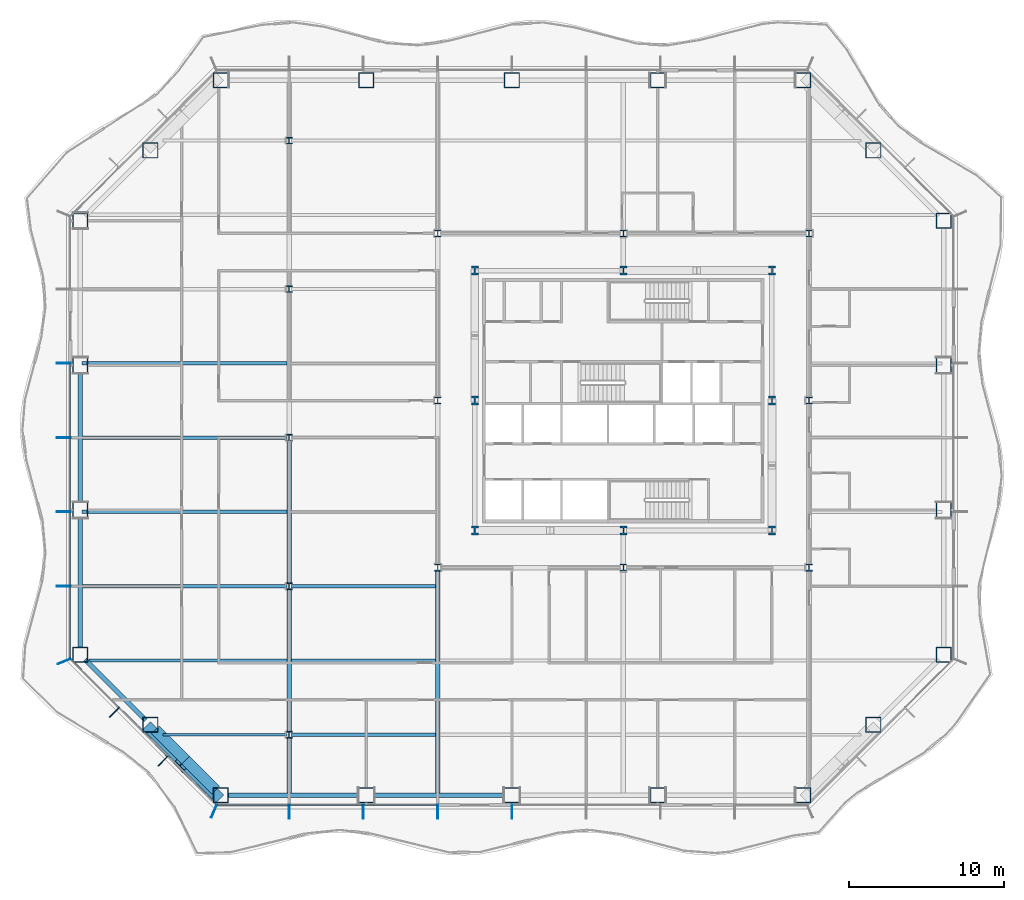
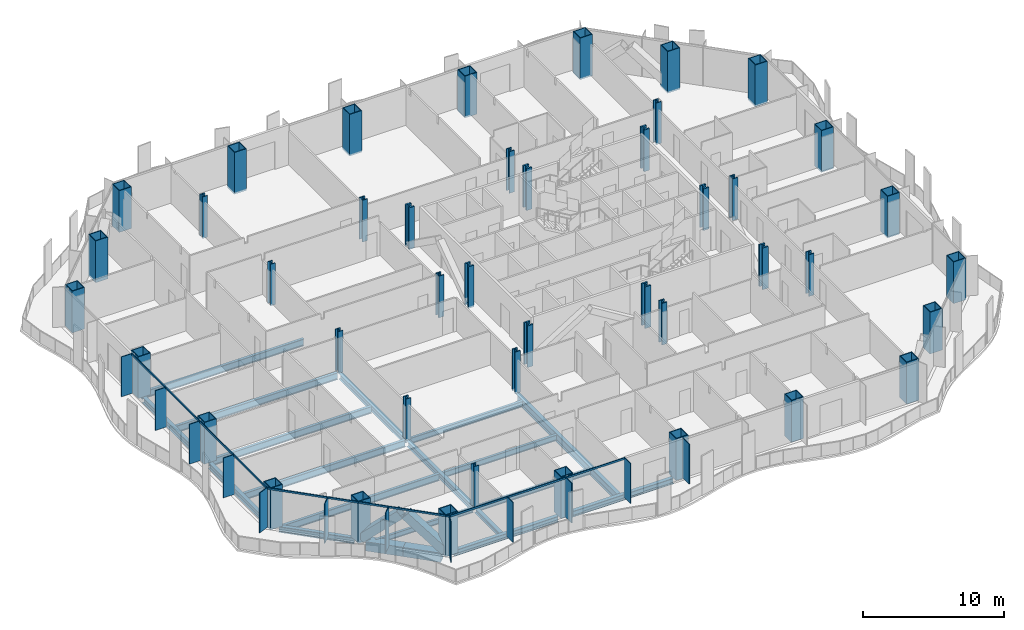
# One storey, part 1 of 20: 43 columns, 24 members, 20 beams, 3 elements without a shape of their own.
"""IFC4 building model written with IfcOpenShell, lengths in metres."""

from ifc_helpers import new_model, si_unit, direction, frame, origin, origin_2d, place, context, subcontext, project, spatial, rectangle, hollow_rectangle, i_section, extrude, material, material_profile, profile_set, type_object, element, aggregate, save


model = new_model("IFC4")

# Units and contexts
model_context = context("Model", 3, precision=1e-05, world=origin(), true_north=direction((0.0, 1.0)))
body_context = subcontext(model_context, "Body", "Model", "MODEL_VIEW")
ifc_project = project(units=[si_unit("LENGTHUNIT", "METRE"), si_unit("AREAUNIT", "SQUARE_METRE"), si_unit("VOLUMEUNIT", "CUBIC_METRE"), si_unit("PLANEANGLEUNIT", "RADIAN"), si_unit("MASSUNIT", "GRAM", prefix="KILO")], contexts=[model_context])

# Site, building, storey
site_placement = place(None, origin())
site = spatial("IfcSite", under=ifc_project, at=site_placement, CompositionType="ELEMENT")
building_placement = place(site_placement, origin())
building = spatial("IfcBuilding", under=site, at=building_placement, Name="Cairn Pilgrim Tower", CompositionType="ELEMENT")
storey_placement = place(building_placement, frame((0.0, 0.0, 51.0)))
storey = spatial("IfcBuildingStorey", under=building, at=storey_placement, Name="L10", CompositionType="ELEMENT", Elevation=51.0)

# Columns
ifc_material_1 = material(Name="Structural steel S460M", Category="steel")
ifc_material_profile_1 = material_profile(ifc_material_1, hollow_rectangle(XDim=1.0, YDim=1.0, WallThickness=0.06005859375, at=origin_2d()), Name="BOX 1000x1000x60")
ifc_profile_set_1 = profile_set([ifc_material_profile_1], Name="Structural steel S460M")
column_type_1 = type_object("IfcColumnType", Name="BOX 1000x1000x60", PredefinedType="COLUMN", material=ifc_profile_set_1)
for number, where, z_axis, x_axis, name in (
    (1, (-18.8271484375, -23.10009765625, -0.14990234375), (0.0, 0.0, 1.0), (1.0, 0.0, 0.0), "PC1-S1"),
    (2, (-9.41357421875, -23.10009765625, -0.14990234375), (0.0, 0.0, 1.0), (1.0, 0.0, 0.0), "PC1-S2"),
    (3, (0.0, -23.10009765625, -0.14990234375), (0.0, 0.0, 1.0), (1.0, 0.0, 0.0), "PC1-S3"),
    (4, (9.41357421875, -23.10009765625, -0.14990234375), (0.0, 0.0, 1.0), (1.0, 0.0, 0.0), "PC1-S4"),
    (5, (18.8271484375, -23.10009765625, -0.14990234375), (0.0, 0.0, 1.0), (1.0, 0.0, 0.0), "PC1-SE1"),
    (6, (23.363525390625, -18.563720703125, -0.14990234375), (0.0, 0.0, 1.0), (1.0, 0.0, 0.0), "PC1-SE2"),
    (7, (27.89990234375, -14.027099609375, -0.14990234375), (0.0, 0.0, 1.0), (1.0, 0.0, 0.0), "PC1-E1"),
    (8, (27.89990234375, -4.67578125, -0.14990234375), (0.0, 0.0, 1.0), (1.0, 0.0, 0.0), "PC1-E2"),
    (9, (27.89990234375, 4.67578125, -0.14990234375), (0.0, 0.0, 1.0), (1.0, 0.0, 0.0), "PC1-E3"),
    (10, (27.89990234375, 14.027099609375, -0.14990234375), (0.0, 0.0, 1.0), (1.0, 0.0, 0.0), "PC1-NE1"),
    (11, (23.363525390625, 18.563720703125, -0.14990234375), (0.0, 0.0, 1.0), (1.0, 0.0, 0.0), "PC1-NE2"),
    (12, (18.8271484375, 23.10009765625, -0.14990234375), (0.0, 0.0, 1.0), (1.0, 0.0, 0.0), "PC1-N1"),
    (13, (9.41357421875, 23.10009765625, -0.14990234375), (0.0, 0.0, 1.0), (1.0, 0.0, 0.0), "PC1-N2"),
    (14, (0.0, 23.10009765625, -0.14990234375), (0.0, 0.0, 1.0), (1.0, 0.0, 0.0), "PC1-N3"),
    (15, (-9.41357421875, 23.10009765625, -0.14990234375), (0.0, 0.0, 1.0), (1.0, 0.0, 0.0), "PC1-N4"),
    (16, (-18.8271484375, 23.10009765625, -0.14990234375), (0.0, 0.0, 1.0), (1.0, 0.0, 0.0), "PC1-NW1"),
    (17, (-23.363525390625, 18.563720703125, -0.14990234375), (0.0, 0.0, 1.0), (1.0, 0.0, 0.0), "PC1-NW2"),
    (18, (-27.89990234375, 14.027099609375, -0.14990234375), (0.0, 0.0, 1.0), (1.0, 0.0, 0.0), "PC1-W1"),
    (19, (-27.89990234375, 4.67578125, -0.14990234375), (0.0, 0.0, 1.0), (1.0, 0.0, 0.0), "PC1-W2"),
    (20, (-27.89990234375, -4.67578125, -0.14990234375), (0.0, 0.0, 1.0), (1.0, 0.0, 0.0), "PC1-W3"),
    (21, (-27.89990234375, -14.027099609375, -0.14990234375), (0.0, 0.0, 1.0), (1.0, 0.0, 0.0), "PC1-SW1"),
    (22, (-23.363525390625, -18.563720703125, -0.14990234375), (0.0, 0.0, 1.0), (1.0, 0.0, 0.0), "PC1-SW2"),
):
    element("IfcColumn", number, at=place(storey_placement, frame(where, z_axis=z_axis, x_axis=x_axis)), inside=storey, type_object=column_type_1, Name=name, PredefinedType="COLUMN", context=body_context, shape_type="SweptSolid", body=[
        extrude(hollow_rectangle(XDim=1.0, YDim=1.0, WallThickness=0.06005859375, at=origin_2d()), origin(), (0.0, 0.0, 1.0), 3.599853515625),
    ])
ifc_material_profile_2 = material_profile(ifc_material_1, i_section(OverallWidth=0.4541015625, OverallDepth=0.569091796875, WebThickness=0.077880859375, FlangeThickness=0.125, FilletRadius=0.014892578125, at=origin_2d()), Name="HD 400x1086")
ifc_profile_set_2 = profile_set([ifc_material_profile_2], Name="Structural steel S460M")
column_type_2 = type_object("IfcColumnType", Name="HD 400x1086", PredefinedType="COLUMN", material=ifc_profile_set_2)
for number, where, z_axis, x_axis, name in (
    (23, (-2.39990234375, -6.0, -0.14990234375), (0.0, 0.0, 1.0), (1.0, 0.0, 0.0), "KC-1"),
    (24, (7.199951171875, -6.0, -0.14990234375), (0.0, 0.0, 1.0), (1.0, 0.0, 0.0), "KC-2"),
    (25, (16.800048828125, -6.0, -0.14990234375), (0.0, 0.0, 1.0), (1.0, 0.0, 0.0), "KC-3"),
    (26, (-2.39990234375, 2.39990234375, -0.14990234375), (0.0, 0.0, 1.0), (1.0, 0.0, 0.0), "KC-4"),
    (27, (16.800048828125, 2.39990234375, -0.14990234375), (0.0, 0.0, 1.0), (1.0, 0.0, 0.0), "KC-5"),
    (28, (-2.39990234375, 10.800048828125, -0.14990234375), (0.0, 0.0, 1.0), (1.0, 0.0, 0.0), "KC-6"),
    (29, (7.199951171875, 10.800048828125, -0.14990234375), (0.0, 0.0, 1.0), (1.0, 0.0, 0.0), "KC-7"),
    (30, (16.800048828125, 10.800048828125, -0.14990234375), (0.0, 0.0, 1.0), (1.0, 0.0, 0.0), "KC-8"),
):
    element("IfcColumn", number, at=place(storey_placement, frame(where, z_axis=z_axis, x_axis=x_axis)), inside=storey, type_object=column_type_2, Name=name, PredefinedType="COLUMN", context=body_context, shape_type="SweptSolid", body=[
        extrude(i_section(OverallWidth=0.4541015625, OverallDepth=0.569091796875, WebThickness=0.077880859375, FlangeThickness=0.125, FilletRadius=0.014892578125, at=origin_2d()), origin(), (0.0, 0.0, 1.0), 3.599853515625),
    ])
ifc_material_profile_3 = material_profile(ifc_material_1, i_section(OverallWidth=0.408935546875, OverallDepth=0.425048828125, WebThickness=0.03271484375, FlangeThickness=0.052490234375, FilletRadius=0.014892578125, at=origin_2d()), Name="HD 400x421")
ifc_profile_set_3 = profile_set([ifc_material_profile_3], Name="Structural steel S460M")
column_type_3 = type_object("IfcColumnType", Name="HD 400x421", PredefinedType="COLUMN", material=ifc_profile_set_3)
for number, where, z_axis, x_axis, name in (
    (31, (-14.39990234375, -19.199951171875, -0.14990234375), (0.0, 0.0, 1.0), (1.0, 0.0, 0.0), "WC-WW-4"),
    (32, (-14.39990234375, -9.60009765625, -0.14990234375), (0.0, 0.0, 1.0), (1.0, 0.0, 0.0), "WC-WW-2"),
    (33, (-14.39990234375, 0.0, -0.14990234375), (0.0, 0.0, 1.0), (1.0, 0.0, 0.0), "WC-WW+0"),
    (34, (-14.39990234375, 9.60009765625, -0.14990234375), (0.0, 0.0, 1.0), (1.0, 0.0, 0.0), "WC-WW+2"),
    (35, (-14.39990234375, 19.199951171875, -0.14990234375), (0.0, 0.0, 1.0), (1.0, 0.0, 0.0), "WC-WW+4"),
):
    element("IfcColumn", number, at=place(storey_placement, frame(where, z_axis=z_axis, x_axis=x_axis)), inside=storey, type_object=column_type_3, Name=name, PredefinedType="COLUMN", context=body_context, shape_type="SweptSolid", body=[
        extrude(i_section(OverallWidth=0.408935546875, OverallDepth=0.425048828125, WebThickness=0.03271484375, FlangeThickness=0.052490234375, FilletRadius=0.014892578125, at=origin_2d()), origin(), (0.0, 0.0, 1.0), 3.599853515625),
    ])
ifc_material_profile_4 = material_profile(ifc_material_1, i_section(OverallWidth=0.424072265625, OverallDepth=0.47412109375, WebThickness=0.047607421875, FlangeThickness=0.0771484375, FilletRadius=0.014892578125, at=origin_2d()), Name="HD 400x634")
ifc_profile_set_4 = profile_set([ifc_material_profile_4], Name="Structural steel S460M")
column_type_4 = type_object("IfcColumnType", Name="HD 400x634", PredefinedType="COLUMN", material=ifc_profile_set_4)
for number, where, z_axis, x_axis, name in (
    (36, (-4.800048828125, -8.39990234375, -0.14990234375), (0.0, 0.0, 1.0), (1.0, 0.0, 0.0), "IC-1"),
    (37, (7.199951171875, -8.39990234375, -0.14990234375), (0.0, 0.0, 1.0), (1.0, 0.0, 0.0), "IC-2"),
    (38, (19.199951171875, -8.39990234375, -0.14990234375), (0.0, 0.0, 1.0), (1.0, 0.0, 0.0), "IC-3"),
    (39, (-4.800048828125, 2.39990234375, -0.14990234375), (0.0, 0.0, 1.0), (1.0, 0.0, 0.0), "IC-4"),
    (40, (19.199951171875, 2.39990234375, -0.14990234375), (0.0, 0.0, 1.0), (1.0, 0.0, 0.0), "IC-5"),
    (41, (-4.800048828125, 13.199951171875, -0.14990234375), (0.0, 0.0, 1.0), (1.0, 0.0, 0.0), "IC-6"),
    (42, (7.199951171875, 13.199951171875, -0.14990234375), (0.0, 0.0, 1.0), (1.0, 0.0, 0.0), "IC-7"),
    (43, (19.199951171875, 13.199951171875, -0.14990234375), (0.0, 0.0, 1.0), (1.0, 0.0, 0.0), "IC-8"),
):
    element("IfcColumn", number, at=place(storey_placement, frame(where, z_axis=z_axis, x_axis=x_axis)), inside=storey, type_object=column_type_4, Name=name, PredefinedType="COLUMN", context=body_context, shape_type="SweptSolid", body=[
        extrude(i_section(OverallWidth=0.424072265625, OverallDepth=0.47412109375, WebThickness=0.047607421875, FlangeThickness=0.0771484375, FilletRadius=0.014892578125, at=origin_2d()), origin(), (0.0, 0.0, 1.0), 3.599853515625),
    ])

# Members
ifc_material_profile_5 = material_profile(ifc_material_1, hollow_rectangle(XDim=0.699951171875, YDim=0.699951171875, WallThickness=0.0400390625, at=origin_2d()), Name="BOX 700x700x40")
ifc_profile_set_5 = profile_set([ifc_material_profile_5], Name="Structural steel S460M")
member_type_1 = type_object("IfcMemberType", Name="BOX 700x700x40 BRACE", PredefinedType="BRACE", material=ifc_profile_set_5)
member_1_placement = place(storey_placement, frame((-23.44482421875, -18.786376953125, 0.14990234375), z_axis=(0.528068439288, -0.528068439288, 0.665046950866), x_axis=(0.707106781187, 0.707106781187, 0.0)))
element("IfcMember", 44, at=member_1_placement, inside=storey, type_object=member_type_1, Name="XB-SW2-S1-1", PredefinedType="BRACE", context=body_context, shape_type="SweptSolid", body=[
    extrude(hollow_rectangle(XDim=0.699951171875, YDim=0.699951171875, WallThickness=0.0400390625, at=origin_2d()), origin(), (0.0, 0.0, 1.0), 3.899658203125),
])
member_2_placement = place(storey_placement, frame((-19.0498046875, -23.181396484375, 0.14990234375), z_axis=(-0.528096125699, 0.528096125699, 0.665002980477), x_axis=(-0.707106781187, -0.707106781187, 0.0)))
element("IfcMember", 45, at=member_2_placement, inside=storey, type_object=member_type_1, Name="XB-SW2-S1-2", PredefinedType="BRACE", context=body_context, shape_type="SweptSolid", body=[
    extrude(hollow_rectangle(XDim=0.699951171875, YDim=0.699951171875, WallThickness=0.0400390625, at=origin_2d()), origin(), (0.0, 0.0, 1.0), 3.89990234375),
])

# Beams
ifc_material_2 = material(Name="Structural steel S355J2", Category="steel")
ifc_material_profile_6 = material_profile(ifc_material_2, hollow_rectangle(XDim=0.699951171875, YDim=0.800048828125, WallThickness=0.0400390625, at=origin_2d()), Name="BOX 700x800x40")
ifc_profile_set_6 = profile_set([ifc_material_profile_6], Name="Structural steel S355J2")
beam_type_1 = type_object("IfcBeamType", Name="BOX 700x800x40 RING GIRDER", PredefinedType="SPANDREL", material=ifc_profile_set_6)
for number, where, z_axis, x_axis, name in (
    (46, (-23.04541015625, -18.8818359375, -0.550048828125), (0.707106781187, -0.707106781187, 0.0), (0.707106781187, 0.707106781187, 0.0), "RG1-SW2-S1-1"),
    (47, (-21.095458984375, -20.831787109375, -0.550048828125), (0.707106781187, -0.707106781187, 0.0), (0.707106781187, 0.707106781187, 0.0), "RG1-SW2-S1-2"),
):
    element("IfcBeam", number, at=place(storey_placement, frame(where, z_axis=z_axis, x_axis=x_axis)), inside=storey, type_object=beam_type_1, Name=name, PredefinedType="SPANDREL", context=body_context, shape_type="SweptSolid", body=[
        extrude(hollow_rectangle(XDim=0.699951171875, YDim=0.800048828125, WallThickness=0.0400390625, at=origin_2d()), origin(), (0.0, 0.0, 1.0), 2.757568359375),
    ])

# Curtain wall, members
ifc_material_3 = material(Name="Aluminium alloy 6063-T6 bronze anodised with Bronze tinted laminated low-E glass 8+16+8.8", Category="aluminium")
curtain_wall_type_1 = type_object("IfcCurtainWallType", Name="TOWER STICK CURTAIN WALL NS", PredefinedType="NOTDEFINED", material=ifc_material_3)
curtain_wall_1_placement = place(storey_placement, origin())
curtain_wall_1 = element("IfcCurtainWall", 48, at=curtain_wall_1_placement, inside=storey, type_object=curtain_wall_type_1, Name="Tower Stick Curtain Wall Ns S", PredefinedType="NOTDEFINED")
ifc_material_4 = material(Name="Aluminium alloy 6063-T6 bronze anodised", Category="aluminium")
ifc_material_profile_7 = material_profile(ifc_material_4, rectangle(XDim=0.89990234375, YDim=0.06005859375, at=origin_2d()), Name="FIN MULLION 60x900 BRONZE")
ifc_profile_set_7 = profile_set([ifc_material_profile_7], Name="Aluminium alloy 6063-T6 bronze anodised")
member_type_2 = type_object("IfcMemberType", Name="FIN MULLION 60x900 BRONZE", PredefinedType="MULLION", material=ifc_profile_set_7)
member_3_placement = place(storey_placement, frame((-19.257080078125, -24.137939453125, 0.0), z_axis=(0.0, 0.0, 1.0), x_axis=(-0.382683432365, -0.923879532511, 0.0)))
member_3 = element("IfcMember", 49, at=member_3_placement, type_object=member_type_2, Name="Fin mullion S1", PredefinedType="MULLION", context=body_context, shape_type="SweptSolid", body=[
    extrude(rectangle(XDim=0.89990234375, YDim=0.06005859375, at=origin_2d()), origin(), (0.0, 0.0, 1.0), 3.449951171875),
])
member_4_placement = place(storey_placement, frame((-14.39990234375, -24.169921875, 0.0), z_axis=(0.0, 0.0, 1.0), x_axis=(0.0, -1.0, 0.0)))
member_4 = element("IfcMember", 50, at=member_4_placement, type_object=member_type_2, Name="Fin mullion S2", PredefinedType="MULLION", context=body_context, shape_type="SweptSolid", body=[
    extrude(rectangle(XDim=0.89990234375, YDim=0.06005859375, at=origin_2d()), origin(), (0.0, 0.0, 1.0), 3.449951171875),
])
member_5_placement = place(storey_placement, frame((-9.60009765625, -24.169921875, 0.0), z_axis=(0.0, 0.0, 1.0), x_axis=(0.0, -1.0, 0.0)))
member_5 = element("IfcMember", 51, at=member_5_placement, type_object=member_type_2, Name="Fin mullion S3", PredefinedType="MULLION", context=body_context, shape_type="SweptSolid", body=[
    extrude(rectangle(XDim=0.89990234375, YDim=0.06005859375, at=origin_2d()), origin(), (0.0, 0.0, 1.0), 3.449951171875),
])
member_6_placement = place(storey_placement, frame((-4.800048828125, -24.169921875, 0.0), z_axis=(0.0, 0.0, 1.0), x_axis=(0.0, -1.0, 0.0)))
member_6 = element("IfcMember", 52, at=member_6_placement, type_object=member_type_2, Name="Fin mullion S4", PredefinedType="MULLION", context=body_context, shape_type="SweptSolid", body=[
    extrude(rectangle(XDim=0.89990234375, YDim=0.06005859375, at=origin_2d()), origin(), (0.0, 0.0, 1.0), 3.449951171875),
])
member_7_placement = place(storey_placement, frame((0.0, -24.169921875, 0.0), z_axis=(0.0, 0.0, 1.0), x_axis=(0.0, -1.0, 0.0)))
member_7 = element("IfcMember", 53, at=member_7_placement, type_object=member_type_2, Name="Fin mullion S5", PredefinedType="MULLION", context=body_context, shape_type="SweptSolid", body=[
    extrude(rectangle(XDim=0.89990234375, YDim=0.06005859375, at=origin_2d()), origin(), (0.0, 0.0, 1.0), 3.449951171875),
])

curtain_wall_type_2 = type_object("IfcCurtainWallType", Name="TOWER STICK CURTAIN WALL EW", PredefinedType="NOTDEFINED", material=ifc_material_3)
curtain_wall_2_placement = place(storey_placement, origin())
curtain_wall_2 = element("IfcCurtainWall", 54, at=curtain_wall_2_placement, inside=storey, type_object=curtain_wall_type_2, Name="Tower Stick Curtain Wall Ew W", PredefinedType="NOTDEFINED")
member_8_placement = place(storey_placement, frame((-28.969970703125, 4.800048828125, 0.0), z_axis=(0.0, 0.0, 1.0), x_axis=(-1.0, 0.0, 0.0)))
member_8 = element("IfcMember", 55, at=member_8_placement, type_object=member_type_2, Name="Fin mullion W3", PredefinedType="MULLION", context=body_context, shape_type="SweptSolid", body=[
    extrude(rectangle(XDim=0.89990234375, YDim=0.06005859375, at=origin_2d()), origin(), (0.0, 0.0, 1.0), 3.449951171875),
])
member_9_placement = place(storey_placement, frame((-28.969970703125, 0.0, 0.0), z_axis=(0.0, 0.0, 1.0), x_axis=(-1.0, 0.0, 0.0)))
member_9 = element("IfcMember", 56, at=member_9_placement, type_object=member_type_2, Name="Fin mullion W4", PredefinedType="MULLION", context=body_context, shape_type="SweptSolid", body=[
    extrude(rectangle(XDim=0.89990234375, YDim=0.06005859375, at=origin_2d()), origin(), (0.0, 0.0, 1.0), 3.449951171875),
])
member_10_placement = place(storey_placement, frame((-28.969970703125, -4.800048828125, 0.0), z_axis=(0.0, 0.0, 1.0), x_axis=(-1.0, 0.0, 0.0)))
member_10 = element("IfcMember", 57, at=member_10_placement, type_object=member_type_2, Name="Fin mullion W5", PredefinedType="MULLION", context=body_context, shape_type="SweptSolid", body=[
    extrude(rectangle(XDim=0.89990234375, YDim=0.06005859375, at=origin_2d()), origin(), (0.0, 0.0, 1.0), 3.449951171875),
])
member_11_placement = place(storey_placement, frame((-28.969970703125, -9.60009765625, 0.0), z_axis=(0.0, 0.0, 1.0), x_axis=(-1.0, 0.0, 0.0)))
member_11 = element("IfcMember", 58, at=member_11_placement, type_object=member_type_2, Name="Fin mullion W6", PredefinedType="MULLION", context=body_context, shape_type="SweptSolid", body=[
    extrude(rectangle(XDim=0.89990234375, YDim=0.06005859375, at=origin_2d()), origin(), (0.0, 0.0, 1.0), 3.449951171875),
])

curtain_wall_type_3 = type_object("IfcCurtainWallType", Name="CHAMFER CORNER CURTAIN WALL", PredefinedType="NOTDEFINED", material=ifc_material_3)
curtain_wall_3_placement = place(storey_placement, origin())
curtain_wall_3 = element("IfcCurtainWall", 59, at=curtain_wall_3_placement, inside=storey, type_object=curtain_wall_type_3, Name="Chamfer Corner Curtain Wall SW", PredefinedType="NOTDEFINED")
member_12_placement = place(storey_placement, frame((-28.93798828125, -14.457275390625, 0.0), z_axis=(0.0, 0.0, 1.0), x_axis=(-0.923879532511, -0.382683432365, 0.0)))
member_12 = element("IfcMember", 60, at=member_12_placement, type_object=member_type_2, Name="Fin mullion SW1", PredefinedType="MULLION", context=body_context, shape_type="SweptSolid", body=[
    extrude(rectangle(XDim=0.89990234375, YDim=0.06005859375, at=origin_2d()), origin(), (0.0, 0.0, 1.0), 3.449951171875),
])
member_13_placement = place(storey_placement, frame((-25.69580078125, -17.74462890625, 0.0), z_axis=(0.0, 0.0, 1.0), x_axis=(-0.707106781187, -0.707106781187, 0.0)))
member_13 = element("IfcMember", 61, at=member_13_placement, type_object=member_type_2, Name="Fin mullion SW2", PredefinedType="MULLION", context=body_context, shape_type="SweptSolid", body=[
    extrude(rectangle(XDim=0.89990234375, YDim=0.06005859375, at=origin_2d()), origin(), (0.0, 0.0, 1.0), 3.449951171875),
])
member_14_placement = place(storey_placement, frame((-22.544677734375, -20.895751953125, 0.0), z_axis=(0.0, 0.0, 1.0), x_axis=(-0.707106781187, -0.707106781187, 0.0)))
member_14 = element("IfcMember", 62, at=member_14_placement, type_object=member_type_2, Name="Fin mullion SW3", PredefinedType="MULLION", context=body_context, shape_type="SweptSolid", body=[
    extrude(rectangle(XDim=0.89990234375, YDim=0.06005859375, at=origin_2d()), origin(), (0.0, 0.0, 1.0), 3.449951171875),
])

# Beams
ifc_material_profile_8 = material_profile(ifc_material_2, i_section(OverallWidth=0.300048828125, OverallDepth=0.39990234375, WebThickness=0.013427734375, FlangeThickness=0.02392578125, FilletRadius=0.027099609375, at=origin_2d()), Name="HEB 400")
ifc_profile_set_8 = profile_set([ifc_material_profile_8], Name="Structural steel S355J2")
beam_type_2 = type_object("IfcBeamType", Name="HEB 400 GIRDER", PredefinedType="BEAM", material=ifc_profile_set_8)
beam_1_placement = place(storey_placement, frame((-14.39990234375, -22.97998046875, -0.35009765625), z_axis=(0.0, 1.0, 0.0), x_axis=(-1.0, 0.0, 0.0)))
element("IfcBeam", 63, at=beam_1_placement, inside=storey, type_object=beam_type_2, Name="PG1-1", PredefinedType="BEAM", context=body_context, shape_type="SweptSolid", body=[
    extrude(i_section(OverallWidth=0.300048828125, OverallDepth=0.39990234375, WebThickness=0.013427734375, FlangeThickness=0.02392578125, FilletRadius=0.027099609375, at=origin_2d()), origin(), (0.0, 0.0, 1.0), 3.575439453125),
])
ifc_material_profile_9 = material_profile(ifc_material_2, i_section(OverallWidth=0.300048828125, OverallDepth=0.5, WebThickness=0.014404296875, FlangeThickness=0.028076171875, FilletRadius=0.027099609375, at=origin_2d()), Name="HEB 500")
ifc_profile_set_9 = profile_set([ifc_material_profile_9], Name="Structural steel S355J2")
beam_type_3 = type_object("IfcBeamType", Name="HEB 500 GIRDER", PredefinedType="BEAM", material=ifc_profile_set_9)
beam_2_placement = place(storey_placement, frame((-14.39990234375, -18.99560546875, -0.39990234375), z_axis=(0.0, 1.0, 0.0), x_axis=(-1.0, 0.0, 0.0)))
element("IfcBeam", 64, at=beam_2_placement, inside=storey, type_object=beam_type_3, Name="PG1-2", PredefinedType="BEAM", context=body_context, shape_type="SweptSolid", body=[
    extrude(i_section(OverallWidth=0.300048828125, OverallDepth=0.5, WebThickness=0.014404296875, FlangeThickness=0.028076171875, FilletRadius=0.027099609375, at=origin_2d()), origin(), (0.0, 0.0, 1.0), 9.191162109375),
])
beam_3_placement = place(storey_placement, frame((-14.39990234375, -9.3955078125, -0.39990234375), z_axis=(0.0, 1.0, 0.0), x_axis=(-1.0, 0.0, 0.0)))
element("IfcBeam", 65, at=beam_3_placement, inside=storey, type_object=beam_type_3, Name="PG1-3", PredefinedType="BEAM", context=body_context, shape_type="SweptSolid", body=[
    extrude(i_section(OverallWidth=0.300048828125, OverallDepth=0.5, WebThickness=0.014404296875, FlangeThickness=0.028076171875, FilletRadius=0.027099609375, at=origin_2d()), origin(), (0.0, 0.0, 1.0), 9.19091796875),
])
ifc_material_profile_10 = material_profile(ifc_material_2, i_section(OverallWidth=0.300048828125, OverallDepth=0.5, WebThickness=0.014404296875, FlangeThickness=0.028076171875, FilletRadius=0.027099609375, at=origin_2d()), Name="HEB 500")
ifc_profile_set_10 = profile_set([ifc_material_profile_10], Name="Structural steel S355J2")
beam_type_4 = type_object("IfcBeamType", Name="HEB 500 RING GIRDER", PredefinedType="SPANDREL", material=ifc_profile_set_10)
for number, where, z_axis, x_axis, name in (
    (66, (-18.377197265625, -23.10009765625, -0.39990234375), (1.0, 0.0, 0.0), (0.0, 1.0, 0.0), "RG1-S1-S2"),
    (67, (-8.963623046875, -23.10009765625, -0.39990234375), (1.0, 0.0, 0.0), (0.0, 1.0, 0.0), "RG1-S2-S3"),
):
    element("IfcBeam", number, at=place(storey_placement, frame(where, z_axis=z_axis, x_axis=x_axis)), inside=storey, type_object=beam_type_4, Name=name, PredefinedType="SPANDREL", context=body_context, shape_type="SweptSolid", body=[
        extrude(i_section(OverallWidth=0.300048828125, OverallDepth=0.5, WebThickness=0.014404296875, FlangeThickness=0.028076171875, FilletRadius=0.027099609375, at=origin_2d()), origin(), (0.0, 0.0, 1.0), 8.513671875),
    ])
beam_4_placement = place(storey_placement, frame((-27.89990234375, 4.2255859375, -0.39990234375), z_axis=(0.0, -1.0, 0.0), x_axis=(1.0, 0.0, 0.0)))
element("IfcBeam", 68, at=beam_4_placement, inside=storey, type_object=beam_type_4, Name="RG1-W2-W3", PredefinedType="SPANDREL", context=body_context, shape_type="SweptSolid", body=[
    extrude(i_section(OverallWidth=0.300048828125, OverallDepth=0.5, WebThickness=0.014404296875, FlangeThickness=0.028076171875, FilletRadius=0.027099609375, at=origin_2d()), origin(), (0.0, 0.0, 1.0), 8.451171875),
])
beam_5_placement = place(storey_placement, frame((-27.89990234375, -5.125732421875, -0.39990234375), z_axis=(0.0, -1.0, 0.0), x_axis=(1.0, 0.0, 0.0)))
element("IfcBeam", 69, at=beam_5_placement, inside=storey, type_object=beam_type_4, Name="RG1-W3-SW1", PredefinedType="SPANDREL", context=body_context, shape_type="SweptSolid", body=[
    extrude(i_section(OverallWidth=0.300048828125, OverallDepth=0.5, WebThickness=0.014404296875, FlangeThickness=0.028076171875, FilletRadius=0.027099609375, at=origin_2d()), origin(), (0.0, 0.0, 1.0), 8.451416015625),
])
beam_6_placement = place(storey_placement, frame((-27.581787109375, -14.345458984375, -0.39990234375), z_axis=(0.707106781187, -0.707106781187, 0.0), x_axis=(0.707106781187, 0.707106781187, 0.0)))
element("IfcBeam", 70, at=beam_6_placement, inside=storey, type_object=beam_type_4, Name="RG1-SW1-SW2", PredefinedType="SPANDREL", context=body_context, shape_type="SweptSolid", body=[
    extrude(i_section(OverallWidth=0.300048828125, OverallDepth=0.5, WebThickness=0.014404296875, FlangeThickness=0.028076171875, FilletRadius=0.027099609375, at=origin_2d()), origin(), (0.0, 0.0, 1.0), 5.515380859375),
])
ifc_material_profile_11 = material_profile(ifc_material_2, i_section(OverallWidth=0.300048828125, OverallDepth=0.699951171875, WebThickness=0.01708984375, FlangeThickness=0.031982421875, FilletRadius=0.027099609375, at=origin_2d()), Name="HEB 700")
ifc_profile_set_11 = profile_set([ifc_material_profile_11], Name="Structural steel S355J2")
beam_type_5 = type_object("IfcBeamType", Name="HEB 700 GIRDER", PredefinedType="BEAM", material=ifc_profile_set_11)
beam_7_placement = place(storey_placement, frame((-4.800048828125, -22.97998046875, -0.5), z_axis=(0.0, 1.0, 0.0), x_axis=(-1.0, 0.0, 0.0)))
element("IfcBeam", 71, at=beam_7_placement, inside=storey, type_object=beam_type_5, Name="PG2-1", PredefinedType="BEAM", context=body_context, shape_type="SweptSolid", body=[
    extrude(i_section(OverallWidth=0.300048828125, OverallDepth=0.699951171875, WebThickness=0.01708984375, FlangeThickness=0.031982421875, FilletRadius=0.027099609375, at=origin_2d()), origin(), (0.0, 0.0, 1.0), 14.367919921875),
])
ifc_material_profile_12 = material_profile(ifc_material_2, i_section(OverallWidth=0.18994140625, OverallDepth=0.449951171875, WebThickness=0.009521484375, FlangeThickness=0.0146484375, FilletRadius=0.02099609375, at=origin_2d()), Name="IPE 450")
ifc_profile_set_12 = profile_set([ifc_material_profile_12], Name="Structural steel S355J2")
beam_type_6 = type_object("IfcBeamType", Name="IPE 450 SECONDARY BEAM", PredefinedType="JOIST", material=ifc_profile_set_12)
beam_8_placement = place(storey_placement, frame((-22.545166015625, -19.199951171875, -0.375), z_axis=(1.0, 0.0, 0.0), x_axis=(0.0, 1.0, 0.0)))
element("IfcBeam", 72, at=beam_8_placement, inside=storey, type_object=beam_type_6, Name="SB1-1", PredefinedType="JOIST", context=body_context, shape_type="SweptSolid", body=[
    extrude(i_section(OverallWidth=0.18994140625, OverallDepth=0.449951171875, WebThickness=0.009521484375, FlangeThickness=0.0146484375, FilletRadius=0.02099609375, at=origin_2d()), origin(), (0.0, 0.0, 1.0), 7.9951171875),
])
ifc_material_profile_13 = material_profile(ifc_material_2, i_section(OverallWidth=0.199951171875, OverallDepth=0.5, WebThickness=0.01025390625, FlangeThickness=0.01611328125, FilletRadius=0.02099609375, at=origin_2d()), Name="IPE 500")
ifc_profile_set_13 = profile_set([ifc_material_profile_13], Name="Structural steel S355J2")
beam_type_7 = type_object("IfcBeamType", Name="IPE 500 SECONDARY BEAM", PredefinedType="JOIST", material=ifc_profile_set_13)
for number, where, z_axis, x_axis, name in (
    (73, (-14.25, -19.199951171875, -0.39990234375), (1.0, 0.0, 0.0), (0.0, 1.0, 0.0), "SB1-2"),
    (74, (-14.25, -14.39990234375, -0.39990234375), (1.0, 0.0, 0.0), (0.0, 1.0, 0.0), "SB2-2"),
    (75, (-14.25, -9.60009765625, -0.39990234375), (1.0, 0.0, 0.0), (0.0, 1.0, 0.0), "SB3-2"),
):
    element("IfcBeam", number, at=place(storey_placement, frame(where, z_axis=z_axis, x_axis=x_axis)), inside=storey, type_object=beam_type_7, Name=name, PredefinedType="JOIST", context=body_context, shape_type="SweptSolid", body=[
        extrude(i_section(OverallWidth=0.199951171875, OverallDepth=0.5, WebThickness=0.01025390625, FlangeThickness=0.01611328125, FilletRadius=0.02099609375, at=origin_2d()), origin(), (0.0, 0.0, 1.0), 9.300048828125),
    ])
ifc_material_profile_14 = material_profile(ifc_material_2, i_section(OverallWidth=0.219970703125, OverallDepth=0.60009765625, WebThickness=0.011962890625, FlangeThickness=0.01904296875, FilletRadius=0.02392578125, at=origin_2d()), Name="IPE 600")
ifc_profile_set_14 = profile_set([ifc_material_profile_14], Name="Structural steel S355J2")
beam_type_8 = type_object("IfcBeamType", Name="IPE 600 SECONDARY BEAM", PredefinedType="JOIST", material=ifc_profile_set_14)
beam_9_placement = place(storey_placement, frame((-27.34521484375, -14.39990234375, -0.449951171875), z_axis=(1.0, 0.0, 0.0), x_axis=(0.0, 1.0, 0.0)))
element("IfcBeam", 76, at=beam_9_placement, inside=storey, type_object=beam_type_8, Name="SB2-1", PredefinedType="JOIST", context=body_context, shape_type="SweptSolid", body=[
    extrude(i_section(OverallWidth=0.219970703125, OverallDepth=0.60009765625, WebThickness=0.011962890625, FlangeThickness=0.01904296875, FilletRadius=0.02392578125, at=origin_2d()), origin(), (0.0, 0.0, 1.0), 12.795166015625),
])
for number, where, z_axis, x_axis, name in (
    (77, (-27.780029296875, -9.60009765625, -0.449951171875), (1.0, 0.0, 0.0), (0.0, 1.0, 0.0), "SB3-1"),
    (78, (-27.780029296875, -4.800048828125, -0.449951171875), (1.0, 0.0, 0.0), (0.0, 1.0, 0.0), "SB4-1"),
    (79, (-27.780029296875, 0.0, -0.449951171875), (1.0, 0.0, 0.0), (0.0, 1.0, 0.0), "SB5-1"),
    (80, (-27.780029296875, 4.800048828125, -0.449951171875), (1.0, 0.0, 0.0), (0.0, 1.0, 0.0), "SB6-1"),
):
    element("IfcBeam", number, at=place(storey_placement, frame(where, z_axis=z_axis, x_axis=x_axis)), inside=storey, type_object=beam_type_8, Name=name, PredefinedType="JOIST", context=body_context, shape_type="SweptSolid", body=[
        extrude(i_section(OverallWidth=0.219970703125, OverallDepth=0.60009765625, WebThickness=0.011962890625, FlangeThickness=0.01904296875, FilletRadius=0.02392578125, at=origin_2d()), origin(), (0.0, 0.0, 1.0), 13.22998046875),
    ])

# Member
ifc_material_profile_15 = material_profile(ifc_material_4, rectangle(XDim=0.080078125, YDim=0.14990234375, at=origin_2d()), Name="TRANSOM 80x150 BRONZE")
ifc_profile_set_15 = profile_set([ifc_material_profile_15], Name="Aluminium alloy 6063-T6 bronze anodised")
member_type_3 = type_object("IfcMemberType", Name="TRANSOM 80x150 BRONZE", PredefinedType="USERDEFINED", material=ifc_profile_set_15)
member_15_placement = place(storey_placement, frame((-19.056396484375, -23.75, 3.375), z_axis=(1.0, 0.0, 0.0), x_axis=(0.0, 1.0, 0.0)))
member_15 = element("IfcMember", 81, at=member_15_placement, type_object=member_type_3, Name="Transom S1", ObjectType="TRANSOM", PredefinedType="USERDEFINED", context=body_context, shape_type="SweptSolid", body=[
    extrude(rectangle(XDim=0.080078125, YDim=0.14990234375, at=origin_2d()), origin(), (0.0, 0.0, 1.0), 4.62646484375),
])

member_16_placement = place(storey_placement, frame((-14.3701171875, -23.75, 3.375), z_axis=(1.0, 0.0, 0.0), x_axis=(0.0, 1.0, 0.0)))
member_16 = element("IfcMember", 82, at=member_16_placement, type_object=member_type_3, Name="Transom S2", ObjectType="TRANSOM", PredefinedType="USERDEFINED", context=body_context, shape_type="SweptSolid", body=[
    extrude(rectangle(XDim=0.080078125, YDim=0.14990234375, at=origin_2d()), origin(), (0.0, 0.0, 1.0), 4.740234375),
])

member_17_placement = place(storey_placement, frame((-9.570068359375, -23.75, 3.375), z_axis=(1.0, 0.0, 0.0), x_axis=(0.0, 1.0, 0.0)))
member_17 = element("IfcMember", 83, at=member_17_placement, type_object=member_type_3, Name="Transom S3", ObjectType="TRANSOM", PredefinedType="USERDEFINED", context=body_context, shape_type="SweptSolid", body=[
    extrude(rectangle(XDim=0.080078125, YDim=0.14990234375, at=origin_2d()), origin(), (0.0, 0.0, 1.0), 4.739990234375),
])

aggregate(curtain_wall_1, [member_3, member_4, member_5, member_6, member_7, member_15, member_16, member_17])

member_18_placement = place(storey_placement, frame((-28.550048828125, 4.77001953125, 3.375), z_axis=(0.0, -1.0, 0.0), x_axis=(1.0, 0.0, 0.0)))
member_18 = element("IfcMember", 84, at=member_18_placement, type_object=member_type_3, Name="Transom W3", ObjectType="TRANSOM", PredefinedType="USERDEFINED", context=body_context, shape_type="SweptSolid", body=[
    extrude(rectangle(XDim=0.080078125, YDim=0.14990234375, at=origin_2d()), origin(), (0.0, 0.0, 1.0), 4.739990234375),
])

member_19_placement = place(storey_placement, frame((-28.550048828125, -0.030029296875, 3.375), z_axis=(0.0, -1.0, 0.0), x_axis=(1.0, 0.0, 0.0)))
member_19 = element("IfcMember", 85, at=member_19_placement, type_object=member_type_3, Name="Transom W4", ObjectType="TRANSOM", PredefinedType="USERDEFINED", context=body_context, shape_type="SweptSolid", body=[
    extrude(rectangle(XDim=0.080078125, YDim=0.14990234375, at=origin_2d()), origin(), (0.0, 0.0, 1.0), 4.739990234375),
])

member_20_placement = place(storey_placement, frame((-28.550048828125, -4.830078125, 3.375), z_axis=(0.0, -1.0, 0.0), x_axis=(1.0, 0.0, 0.0)))
member_20 = element("IfcMember", 86, at=member_20_placement, type_object=member_type_3, Name="Transom W5", ObjectType="TRANSOM", PredefinedType="USERDEFINED", context=body_context, shape_type="SweptSolid", body=[
    extrude(rectangle(XDim=0.080078125, YDim=0.14990234375, at=origin_2d()), origin(), (0.0, 0.0, 1.0), 4.739990234375),
])

member_21_placement = place(storey_placement, frame((-28.550048828125, -9.6298828125, 3.375), z_axis=(0.0, -1.0, 0.0), x_axis=(1.0, 0.0, 0.0)))
member_21 = element("IfcMember", 87, at=member_21_placement, type_object=member_type_3, Name="Transom W6", ObjectType="TRANSOM", PredefinedType="USERDEFINED", context=body_context, shape_type="SweptSolid", body=[
    extrude(rectangle(XDim=0.080078125, YDim=0.14990234375, at=origin_2d()), origin(), (0.0, 0.0, 1.0), 4.62646484375),
])

aggregate(curtain_wall_2, [member_8, member_9, member_10, member_11, member_18, member_19, member_20, member_21])

member_22_placement = place(storey_placement, frame((-28.521728515625, -14.32470703125, 3.375), z_axis=(0.707106781187, -0.707106781187, 0.0), x_axis=(0.707106781187, 0.707106781187, 0.0)))
member_22 = element("IfcMember", 88, at=member_22_placement, type_object=member_type_3, Name="Transom SW1", ObjectType="TRANSOM", PredefinedType="USERDEFINED", context=body_context, shape_type="SweptSolid", body=[
    extrude(rectangle(XDim=0.080078125, YDim=0.14990234375, at=origin_2d()), origin(), (0.0, 0.0, 1.0), 4.38671875),
])

member_23_placement = place(storey_placement, frame((-25.377685546875, -17.46875, 3.375), z_axis=(0.707106781187, -0.707106781187, 0.0), x_axis=(0.707106781187, 0.707106781187, 0.0)))
member_23 = element("IfcMember", 89, at=member_23_placement, type_object=member_type_3, Name="Transom SW2", ObjectType="TRANSOM", PredefinedType="USERDEFINED", context=body_context, shape_type="SweptSolid", body=[
    extrude(rectangle(XDim=0.080078125, YDim=0.14990234375, at=origin_2d()), origin(), (0.0, 0.0, 1.0), 4.396728515625),
])

member_24_placement = place(storey_placement, frame((-22.226318359375, -20.6201171875, 3.375), z_axis=(0.707106781187, -0.707106781187, 0.0), x_axis=(0.707106781187, 0.707106781187, 0.0)))
member_24 = element("IfcMember", 90, at=member_24_placement, type_object=member_type_3, Name="Transom SW3", ObjectType="TRANSOM", PredefinedType="USERDEFINED", context=body_context, shape_type="SweptSolid", body=[
    extrude(rectangle(XDim=0.080078125, YDim=0.14990234375, at=origin_2d()), origin(), (0.0, 0.0, 1.0), 4.38623046875),
])

aggregate(curtain_wall_3, [member_12, member_13, member_14, member_22, member_23, member_24])

save(model, "model.ifc")
